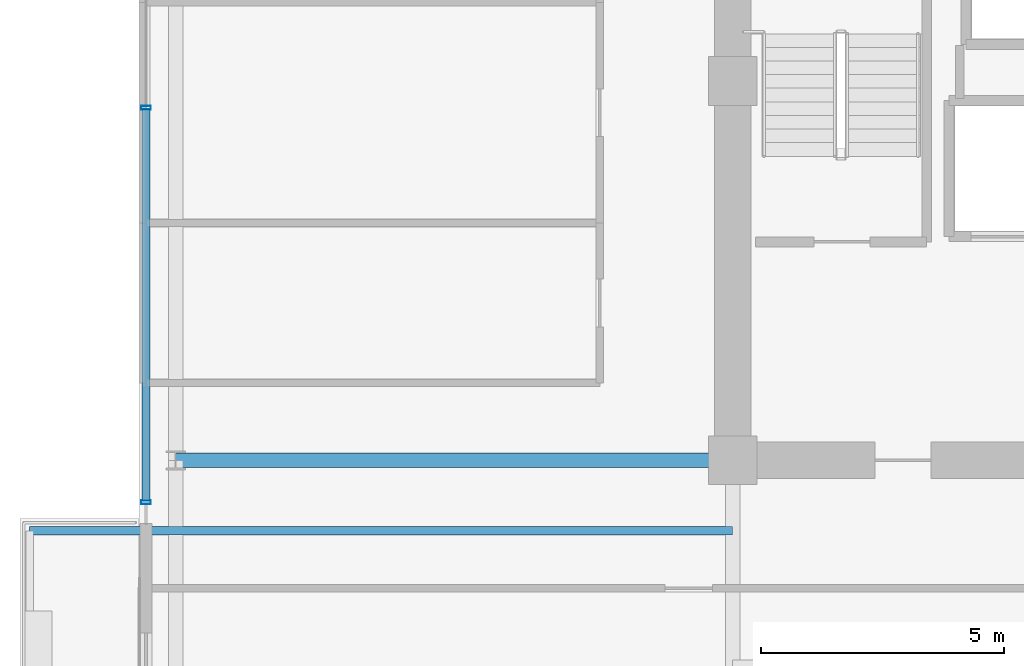
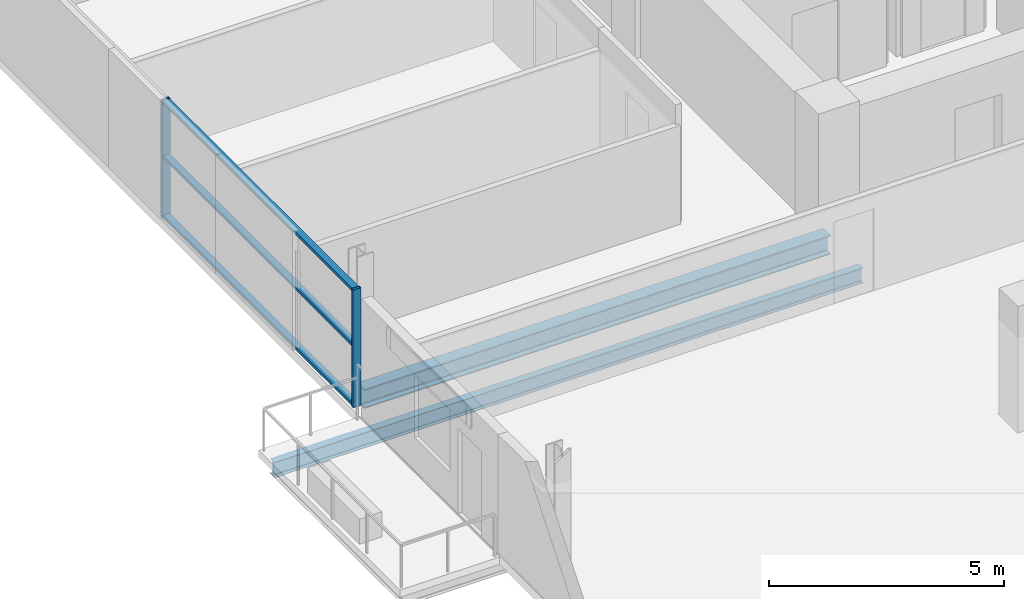
# One storey, part 4 of 21: 5 members, 2 beams, 1 element without a shape of its own.
"""IFC4 building model written with IfcOpenShell, lengths in metres."""

from ifc_helpers import new_model, si_unit, direction, frame, origin, origin_2d, place, context, subcontext, project, spatial, hollow_rectangle, i_section, extrude, source, transform, mapped, material, layer, layer_set, material_profile, profile_set, type_object, element, aggregate, save


model = new_model("IFC4")

# Units and contexts
model_context = context("Model", 3, precision=1e-05, world=origin(), true_north=direction((0.0, 1.0)))
body_context = subcontext(model_context, "Body", "Model", "MODEL_VIEW")
ifc_project = project(units=[si_unit("LENGTHUNIT", "METRE"), si_unit("AREAUNIT", "SQUARE_METRE"), si_unit("VOLUMEUNIT", "CUBIC_METRE"), si_unit("PLANEANGLEUNIT", "RADIAN"), si_unit("MASSUNIT", "GRAM", prefix="KILO")], contexts=[model_context])

# Site, building, storey
site_placement = place(None, origin())
site = spatial("IfcSite", under=ifc_project, at=site_placement, CompositionType="ELEMENT")
building_placement = place(site_placement, origin())
building = spatial("IfcBuilding", under=site, at=building_placement, Name="Zarnakvel Exchange Tower", CompositionType="ELEMENT")
storey_placement = place(building_placement, frame((0.0, 0.0, 152.800048828125)))
storey = spatial("IfcBuildingStorey", under=building, at=storey_placement, Name="L42", CompositionType="ELEMENT", Elevation=152.800048828125)

# Beams
ifc_material_1 = material(Name="Steel S355", Category="steel")
ifc_material_profile_1 = material_profile(ifc_material_1, i_section(OverallWidth=0.179931640625, OverallDepth=0.39990234375, WebThickness=0.008544921875, FlangeThickness=0.013427734375, FilletRadius=0.02099609375, at=origin_2d()))
ifc_profile_set_1 = profile_set([ifc_material_profile_1], Name="Steel S355")
beam_type_1 = type_object("IfcBeamType", Name="B-06", PredefinedType="JOIST", material=ifc_profile_set_1)
beam_1_placement = place(storey_placement, frame((-14.39990234375, -2.64990234375, -0.425048828125), z_axis=(-1.0, 0.0, 0.0), x_axis=(0.0, -1.0, 0.0)))
element("IfcBeam", 1, at=beam_1_placement, inside=storey, type_object=beam_type_1, Name="L42 Continuous West Loggia Beam N", PredefinedType="JOIST", context=body_context, shape_type="SweptSolid", body=[
    extrude(i_section(OverallWidth=0.179931640625, OverallDepth=0.39990234375, WebThickness=0.008544921875, FlangeThickness=0.013427734375, FilletRadius=0.02099609375, at=origin_2d()), origin(), (0.0, 0.0, 1.0), 14.4501953125),
])
ifc_material_profile_2 = material_profile(ifc_material_1, i_section(OverallWidth=0.300048828125, OverallDepth=0.5, WebThickness=0.014404296875, FlangeThickness=0.028076171875, FilletRadius=0.027099609375, at=origin_2d()))
ifc_profile_set_2 = profile_set([ifc_material_profile_2], Name="Steel S355")
beam_type_2 = type_object("IfcBeamType", Name="G-06", PredefinedType="BEAM", material=ifc_profile_set_2)
beam_2_placement = place(storey_placement, frame((-25.85009765625, -1.199951171875, -0.47509765625), z_axis=(1.0, 0.0, 0.0), x_axis=(0.0, 1.0, 0.0)))
element("IfcBeam", 2, at=beam_2_placement, inside=storey, type_object=beam_type_2, Name="L42 Tower E-W Frame Beam", PredefinedType="BEAM", context=body_context, shape_type="SweptSolid", body=[
    extrude(i_section(OverallWidth=0.300048828125, OverallDepth=0.5, WebThickness=0.014404296875, FlangeThickness=0.028076171875, FilletRadius=0.027099609375, at=origin_2d()), origin(), (0.0, 0.0, 1.0), 11.4501953125),
])

# Curtain wall, members
ifc_material_2 = material(Name="Architectural Bronze Anodised Aluminium", Category="aluminium")
ifc_layer = layer(ifc_material_2, 0.199951171875)
ifc_layer_set = layer_set([ifc_layer], Name="Architectural Bronze Anodised Aluminium")
curtain_wall_type = type_object("IfcCurtainWallType", Name="CW-04", PredefinedType="NOTDEFINED", material=ifc_layer_set)
curtain_wall_placement = place(storey_placement, origin())
curtain_wall = element("IfcCurtainWall", 3, at=curtain_wall_placement, inside=storey, type_object=curtain_wall_type, Name="L42 Curtain Wall CW-L42-WN (CW-04)", PredefinedType="NOTDEFINED")
ifc_material_profile_3 = material_profile(ifc_material_2, hollow_rectangle(XDim=0.199951171875, YDim=0.074951171875, WallThickness=0.0048828125, at=origin_2d()))
ifc_profile_set_3 = profile_set([ifc_material_profile_3], Name="Architectural Bronze Anodised Aluminium")
member_type_1 = type_object("IfcMemberType", Name="CWM-04", PredefinedType="MULLION", material=ifc_profile_set_3)
shared_shape_1 = source(origin(), body_context, "Body", "SweptSolid", [
    extrude(hollow_rectangle(XDim=0.199951171875, YDim=0.074951171875, WallThickness=0.0048828125, at=origin_2d()), origin(), (0.0, 0.0, 1.0), 3.054931640625),
])
member_1_placement = place(storey_placement, frame((-26.4599609375, -2.0625, 0.0), z_axis=(0.0, 0.0, 1.0), x_axis=(-1.0, 0.0, 0.0)))
member_1 = element("IfcMember", 4, at=member_1_placement, type_object=member_type_1, Name="CW-04 mullion 1", PredefinedType="MULLION", context=body_context, shape_type="MappedRepresentation", body=[
    mapped(shared_shape_1, transform((0.0, 0.0, 0.0), x_axis=(1.0, 0.0, 0.0), y_axis=(0.0, 1.0, 0.0), z_axis=(0.0, 0.0, 1.0), scale=1.0)),
])
member_2_placement = place(storey_placement, frame((-26.4599609375, 6.050048828125, 0.0), z_axis=(0.0, 0.0, 1.0), x_axis=(-1.0, 0.0, 0.0)))
member_2 = element("IfcMember", 5, at=member_2_placement, type_object=member_type_1, Name="CW-04 mullion 2", PredefinedType="MULLION", context=body_context, shape_type="MappedRepresentation", body=[
    mapped(shared_shape_1, transform((0.0, 0.0, 0.0), x_axis=(1.0, 0.0, 0.0), y_axis=(0.0, 1.0, 0.0), z_axis=(0.0, 0.0, 1.0), scale=1.0)),
])
ifc_material_profile_4 = material_profile(ifc_material_2, hollow_rectangle(XDim=0.159912109375, YDim=0.074951171875, WallThickness=0.00390625, at=origin_2d()))
ifc_profile_set_4 = profile_set([ifc_material_profile_4], Name="Architectural Bronze Anodised Aluminium")
member_type_2 = type_object("IfcMemberType", Name="CWT-04", PredefinedType="USERDEFINED", material=ifc_profile_set_4)
shared_shape_2 = source(origin(), body_context, "Body", "SweptSolid", [
    extrude(hollow_rectangle(XDim=0.159912109375, YDim=0.074951171875, WallThickness=0.00390625, at=origin_2d()), origin(), (0.0, 0.0, 1.0), 8.037353515625),
])
member_3_placement = place(storey_placement, frame((-26.4599609375, -2.02490234375, 0.037353515625), z_axis=(0.0, 1.0, 0.0), x_axis=(-1.0, 0.0, 0.0)))
member_3 = element("IfcMember", 6, at=member_3_placement, type_object=member_type_2, Name="CW-04 transom 1.1", ObjectType="TRANSOM", PredefinedType="USERDEFINED", context=body_context, shape_type="MappedRepresentation", body=[
    mapped(shared_shape_2, transform((0.0, 0.0, 0.0), x_axis=(1.0, 0.0, 0.0), y_axis=(0.0, 1.0, 0.0), z_axis=(0.0, 0.0, 1.0), scale=1.0)),
])
member_4_placement = place(storey_placement, frame((-26.4599609375, -2.02490234375, 1.588623046875), z_axis=(0.0, 1.0, 0.0), x_axis=(-1.0, 0.0, 0.0)))
member_4 = element("IfcMember", 7, at=member_4_placement, type_object=member_type_2, Name="CW-04 transom 1.2", ObjectType="TRANSOM", PredefinedType="USERDEFINED", context=body_context, shape_type="MappedRepresentation", body=[
    mapped(shared_shape_2, transform((0.0, 0.0, 0.0), x_axis=(1.0, 0.0, 0.0), y_axis=(0.0, 1.0, 0.0), z_axis=(0.0, 0.0, 1.0), scale=1.0)),
])
member_5_placement = place(storey_placement, frame((-26.4599609375, -2.02490234375, 3.017333984375), z_axis=(0.0, 1.0, 0.0), x_axis=(-1.0, 0.0, 0.0)))
member_5 = element("IfcMember", 8, at=member_5_placement, type_object=member_type_2, Name="CW-04 transom 1.3", ObjectType="TRANSOM", PredefinedType="USERDEFINED", context=body_context, shape_type="MappedRepresentation", body=[
    mapped(shared_shape_2, transform((0.0, 0.0, 0.0), x_axis=(1.0, 0.0, 0.0), y_axis=(0.0, 1.0, 0.0), z_axis=(0.0, 0.0, 1.0), scale=1.0)),
])
aggregate(curtain_wall, [member_1, member_2, member_3, member_4, member_5])

save(model, "model.ifc")
